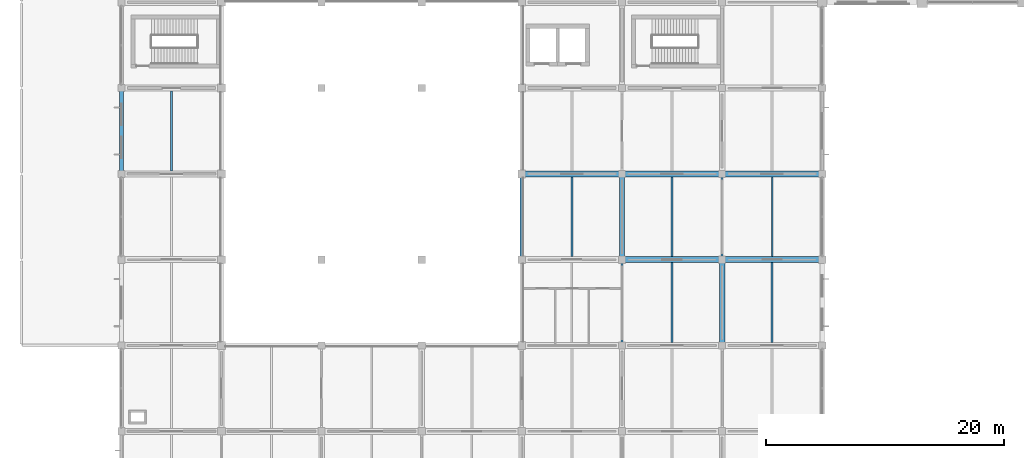
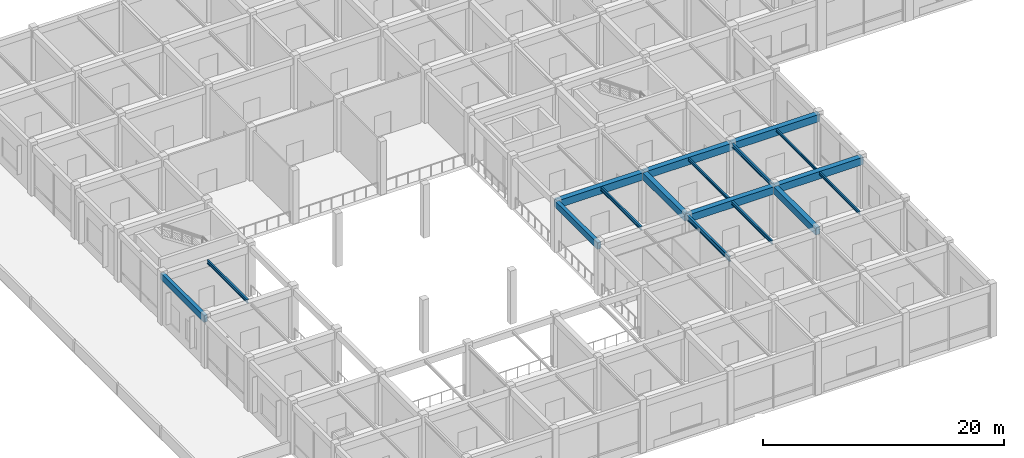
# One storey, part 4 of 38: 17 beams.
"""IFC4 building model written with IfcOpenShell, lengths in metres."""

from ifc_helpers import new_model, si_unit, derived_unit, direction, frame, origin, origin_2d, place, context, subcontext, project, spatial, rectangle, i_section, extrude, material, material_profile, profile_set, type_object, element, save


model = new_model("IFC4")

# Units and contexts
model_context = context("Model", 3, precision=1e-05, world=origin(), true_north=direction((0.0, 1.0)))
body_context = subcontext(model_context, "Body", "Model", "MODEL_VIEW")
ifc_project = project(units=[si_unit("LENGTHUNIT", "METRE"), si_unit("AREAUNIT", "SQUARE_METRE"), si_unit("VOLUMEUNIT", "CUBIC_METRE"), si_unit("PLANEANGLEUNIT", "RADIAN"), si_unit("MASSUNIT", "GRAM", prefix="KILO"), derived_unit("THERMALTRANSMITTANCEUNIT", [(si_unit("MASSUNIT", "GRAM", prefix="KILO"), 1), (si_unit("TIMEUNIT", "SECOND"), -3), (si_unit("THERMODYNAMICTEMPERATUREUNIT", "KELVIN"), -1)])], contexts=[model_context])

# Site, building, storey
site_placement = place(None, origin())
site = spatial("IfcSite", under=ifc_project, at=site_placement, CompositionType="ELEMENT")
building_placement = place(site_placement, origin())
building = spatial("IfcBuilding", under=site, at=building_placement, Name="Veldstrom Oceanarium and Marine Research Institute", CompositionType="ELEMENT")
storey_placement = place(building_placement, frame((0.0, 0.0, 11.39990234375)))
storey = spatial("IfcBuildingStorey", under=building, at=storey_placement, Name="L02", CompositionType="ELEMENT", Elevation=11.39990234375)

# Beams
ifc_material_1 = material(Name="Concrete C40/50", Category="concrete")
ifc_material_profile_1 = material_profile(ifc_material_1, rectangle(XDim=0.5, YDim=0.75, at=origin_2d()), Name="RC-BM-500x750")
ifc_profile_set_1 = profile_set([ifc_material_profile_1], Name="Concrete C40/50")
beam_type_1 = type_object("IfcBeamType", Name="STR-BM-B03", PredefinedType="BEAM", material=ifc_profile_set_1)
beam_1_placement = place(storey_placement, frame((42.0, 28.800048828125, 4.72021484375), z_axis=(1.0, 0.0, 0.0), x_axis=(0.0, 1.0, 0.0)))
element("IfcBeam", 1, at=beam_1_placement, inside=storey, type_object=beam_type_1, Name="Primary Beam B03 L02-1523", PredefinedType="BEAM", context=body_context, shape_type="SweptSolid", body=[
    extrude(rectangle(XDim=0.5, YDim=0.75, at=origin_2d()), origin(), (0.0, 0.0, 1.0), 8.39990234375),
])
for number, where, z_axis, x_axis, name in (
    (2, (50.39990234375, 21.60009765625, 4.72021484375), (1.0, 0.0, 0.0), (0.0, 1.0, 0.0), "Primary Beam B03 L02-1533"),
    (3, (50.39990234375, 28.800048828125, 4.72021484375), (1.0, 0.0, 0.0), (0.0, 1.0, 0.0), "Primary Beam B03 L02-1534"),
):
    element("IfcBeam", number, at=place(storey_placement, frame(where, z_axis=z_axis, x_axis=x_axis)), inside=storey, type_object=beam_type_1, Name=name, PredefinedType="BEAM", context=body_context, shape_type="SweptSolid", body=[
        extrude(rectangle(XDim=0.5, YDim=0.75, at=origin_2d()), origin(), (0.0, 0.0, 1.0), 8.400146484375),
    ])
for number, where, z_axis, x_axis, name in (
    (4, (58.800048828125, 21.60009765625, 4.72021484375), (1.0, 0.0, 0.0), (0.0, 1.0, 0.0), "Primary Beam B03 L02-1544"),
    (5, (58.800048828125, 28.800048828125, 4.72021484375), (1.0, 0.0, 0.0), (0.0, 1.0, 0.0), "Primary Beam B03 L02-1545"),
):
    element("IfcBeam", number, at=place(storey_placement, frame(where, z_axis=z_axis, x_axis=x_axis)), inside=storey, type_object=beam_type_1, Name=name, PredefinedType="BEAM", context=body_context, shape_type="SweptSolid", body=[
        extrude(rectangle(XDim=0.5, YDim=0.75, at=origin_2d()), origin(), (0.0, 0.0, 1.0), 8.39990234375),
    ])
ifc_material_2 = material(Name="Concrete C40/50", Category="concrete")
ifc_material_profile_2 = material_profile(ifc_material_2, rectangle(XDim=0.449951171875, YDim=0.699951171875, at=origin_2d()), Name="RC-BM-450x700")
ifc_profile_set_2 = profile_set([ifc_material_profile_2], Name="Concrete C40/50")
beam_type_2 = type_object("IfcBeamType", Name="STR-BM-B04", PredefinedType="BEAM", material=ifc_profile_set_2)
beam_2_placement = place(storey_placement, frame((50.39990234375, 21.60009765625, 4.7451171875), z_axis=(0.0, 1.0, 0.0), x_axis=(-1.0, 0.0, 0.0)))
element("IfcBeam", 6, at=beam_2_placement, inside=storey, type_object=beam_type_2, Name="Primary Beam B04 L02-1658", PredefinedType="BEAM", context=body_context, shape_type="SweptSolid", body=[
    extrude(rectangle(XDim=0.449951171875, YDim=0.699951171875, at=origin_2d()), origin(), (0.0, 0.0, 1.0), 7.199951171875),
])
beam_3_placement = place(storey_placement, frame((58.800048828125, 14.39990234375, 4.7451171875), z_axis=(0.0, 1.0, 0.0), x_axis=(-1.0, 0.0, 0.0)))
element("IfcBeam", 7, at=beam_3_placement, inside=storey, type_object=beam_type_2, Name="Primary Beam B04 L02-1667", PredefinedType="BEAM", context=body_context, shape_type="SweptSolid", body=[
    extrude(rectangle(XDim=0.449951171875, YDim=0.699951171875, at=origin_2d()), origin(), (0.0, 0.0, 1.0), 7.2001953125),
])
ifc_material_3 = material(Name="Steel S355JR", Category="steel")
ifc_material_profile_3 = material_profile(ifc_material_3, i_section(OverallWidth=0.199951171875, OverallDepth=0.5, WebThickness=0.01025390625, FlangeThickness=0.01611328125, FilletRadius=0.02099609375, at=origin_2d()), Name="IPE 500")
ifc_profile_set_3 = profile_set([ifc_material_profile_3], Name="Steel S355JR")
beam_type_3 = type_object("IfcBeamType", Name="STR-BM-SB6", PredefinedType="BEAM", material=ifc_profile_set_3)
beam_4_placement = place(storey_placement, frame((50.39990234375, 14.39990234375, 4.84521484375), z_axis=(0.0, 1.0, 0.0), x_axis=(-1.0, 0.0, 0.0)))
element("IfcBeam", 8, at=beam_4_placement, inside=storey, type_object=beam_type_3, Name="Steel Tie Beam SB6 L02-1657", PredefinedType="BEAM", context=body_context, shape_type="SweptSolid", body=[
    extrude(i_section(OverallWidth=0.199951171875, OverallDepth=0.5, WebThickness=0.01025390625, FlangeThickness=0.01611328125, FilletRadius=0.02099609375, at=origin_2d()), origin(), (0.0, 0.0, 1.0), 7.2001953125),
])
ifc_material_4 = material(Name="Steel S355JR", Category="steel")
ifc_material_profile_4 = material_profile(ifc_material_4, i_section(OverallWidth=0.179931640625, OverallDepth=0.39990234375, WebThickness=0.008544921875, FlangeThickness=0.013427734375, FilletRadius=0.02099609375, at=origin_2d()), Name="IPE 400")
ifc_profile_set_4 = profile_set([ifc_material_profile_4], Name="Steel S355JR")
beam_type_4 = type_object("IfcBeamType", Name="STR-BM-SB8", PredefinedType="BEAM", material=ifc_profile_set_4)
beam_5_placement = place(storey_placement, frame((58.800048828125, 21.60009765625, 4.89501953125), z_axis=(0.0, 1.0, 0.0), x_axis=(-1.0, 0.0, 0.0)))
element("IfcBeam", 9, at=beam_5_placement, inside=storey, type_object=beam_type_4, Name="Steel Tie Beam SB8 L02-1668", PredefinedType="BEAM", context=body_context, shape_type="SweptSolid", body=[
    extrude(i_section(OverallWidth=0.179931640625, OverallDepth=0.39990234375, WebThickness=0.008544921875, FlangeThickness=0.013427734375, FilletRadius=0.02099609375, at=origin_2d()), origin(), (0.0, 0.0, 1.0), 7.199951171875),
])
ifc_material_5 = material(Name="Steel S355JR", Category="steel")
ifc_material_profile_5 = material_profile(ifc_material_5, i_section(OverallWidth=0.169921875, OverallDepth=0.360107421875, WebThickness=0.008056640625, FlangeThickness=0.0126953125, FilletRadius=0.01806640625, at=origin_2d()), Name="IPE 360")
ifc_profile_set_5 = profile_set([ifc_material_profile_5], Name="Steel S355JR")
beam_type_5 = type_object("IfcBeamType", Name="STR-JST-SJ1", PredefinedType="JOIST", material=ifc_profile_set_5)
for number, where, z_axis, x_axis, name in (
    (10, (12.60009765625, 29.050048828125, 4.9150390625), (0.0, 1.0, 0.0), (-1.0, 0.0, 0.0), "Secondary Joist SJ1 L02-1745"),
    (11, (46.199951171875, 21.85009765625, 4.9150390625), (0.0, 1.0, 0.0), (-1.0, 0.0, 0.0), "Secondary Joist SJ1 L02-1765"),
):
    element("IfcBeam", number, at=place(storey_placement, frame(where, z_axis=z_axis, x_axis=x_axis)), inside=storey, type_object=beam_type_5, Name=name, PredefinedType="JOIST", context=body_context, shape_type="SweptSolid", body=[
        extrude(i_section(OverallWidth=0.169921875, OverallDepth=0.360107421875, WebThickness=0.008056640625, FlangeThickness=0.0126953125, FilletRadius=0.01806640625, at=origin_2d()), origin(), (0.0, 0.0, 1.0), 6.699951171875),
    ])
beam_6_placement = place(storey_placement, frame((54.60009765625, 14.64990234375, 4.9150390625), z_axis=(0.0, 1.0, 0.0), x_axis=(-1.0, 0.0, 0.0)))
element("IfcBeam", 12, at=beam_6_placement, inside=storey, type_object=beam_type_5, Name="Secondary Joist SJ1 L02-1773", PredefinedType="JOIST", context=body_context, shape_type="SweptSolid", body=[
    extrude(i_section(OverallWidth=0.169921875, OverallDepth=0.360107421875, WebThickness=0.008056640625, FlangeThickness=0.0126953125, FilletRadius=0.01806640625, at=origin_2d()), origin(), (0.0, 0.0, 1.0), 6.7001953125),
])
ifc_material_6 = material(Name="Steel S355JR", Category="steel")
ifc_material_profile_6 = material_profile(ifc_material_6, i_section(OverallWidth=0.14990234375, OverallDepth=0.300048828125, WebThickness=0.007080078125, FlangeThickness=0.0107421875, FilletRadius=0.014892578125, at=origin_2d()), Name="IPE 300")
ifc_profile_set_6 = profile_set([ifc_material_profile_6], Name="Steel S355JR")
beam_type_6 = type_object("IfcBeamType", Name="STR-JST-SJ2", PredefinedType="JOIST", material=ifc_profile_set_6)
beam_7_placement = place(storey_placement, frame((54.60009765625, 21.85009765625, 4.945068359375), z_axis=(0.0, 1.0, 0.0), x_axis=(-1.0, 0.0, 0.0)))
element("IfcBeam", 13, at=beam_7_placement, inside=storey, type_object=beam_type_6, Name="Secondary Joist SJ2 L02-1774", PredefinedType="JOIST", context=body_context, shape_type="SweptSolid", body=[
    extrude(i_section(OverallWidth=0.14990234375, OverallDepth=0.300048828125, WebThickness=0.007080078125, FlangeThickness=0.0107421875, FilletRadius=0.014892578125, at=origin_2d()), origin(), (0.0, 0.0, 1.0), 6.699951171875),
])
beam_8_placement = place(storey_placement, frame((63.0, 14.64990234375, 4.945068359375), z_axis=(0.0, 1.0, 0.0), x_axis=(-1.0, 0.0, 0.0)))
element("IfcBeam", 14, at=beam_8_placement, inside=storey, type_object=beam_type_6, Name="Secondary Joist SJ2 L02-1782", PredefinedType="JOIST", context=body_context, shape_type="SweptSolid", body=[
    extrude(i_section(OverallWidth=0.14990234375, OverallDepth=0.300048828125, WebThickness=0.007080078125, FlangeThickness=0.0107421875, FilletRadius=0.014892578125, at=origin_2d()), origin(), (0.0, 0.0, 1.0), 6.7001953125),
])
ifc_material_7 = material(Name="Steel S355JR", Category="steel")
ifc_material_profile_7 = material_profile(ifc_material_7, i_section(OverallWidth=0.135009765625, OverallDepth=0.27001953125, WebThickness=0.006591796875, FlangeThickness=0.01025390625, FilletRadius=0.014892578125, at=origin_2d()), Name="IPE 270")
ifc_profile_set_7 = profile_set([ifc_material_profile_7], Name="Steel S355JR")
beam_type_7 = type_object("IfcBeamType", Name="STR-JST-SJ3", PredefinedType="JOIST", material=ifc_profile_set_7)
beam_9_placement = place(storey_placement, frame((63.0, 21.85009765625, 4.960205078125), z_axis=(0.0, 1.0, 0.0), x_axis=(-1.0, 0.0, 0.0)))
element("IfcBeam", 15, at=beam_9_placement, inside=storey, type_object=beam_type_7, Name="Secondary Joist SJ3 L02-1783", PredefinedType="JOIST", context=body_context, shape_type="SweptSolid", body=[
    extrude(i_section(OverallWidth=0.135009765625, OverallDepth=0.27001953125, WebThickness=0.006591796875, FlangeThickness=0.01025390625, FilletRadius=0.014892578125, at=origin_2d()), origin(), (0.0, 0.0, 1.0), 6.699951171875),
])
ifc_material_8 = material(Name="Concrete C40/50", Category="concrete")
ifc_material_profile_8 = material_profile(ifc_material_8, rectangle(XDim=0.35009765625, YDim=0.64990234375, at=origin_2d()), Name="RC-SPN-350x650")
ifc_profile_set_8 = profile_set([ifc_material_profile_8], Name="Concrete C40/50")
beam_type_8 = type_object("IfcBeamType", Name="STR-SPN-SP1", PredefinedType="SPANDREL", material=ifc_profile_set_8)
for number, where, z_axis, x_axis, name in (
    (16, (8.39990234375, 28.800048828125, 4.77001953125), (0.0, 1.0, 0.0), (-1.0, 0.0, 0.0), "Perimeter Spandrel SPB1 L02-1621"),
    (17, (42.0, 21.60009765625, 4.77001953125), (0.0, 1.0, 0.0), (-1.0, 0.0, 0.0), "Perimeter Spandrel SPB1 L02-1648"),
):
    element("IfcBeam", number, at=place(storey_placement, frame(where, z_axis=z_axis, x_axis=x_axis)), inside=storey, type_object=beam_type_8, Name=name, PredefinedType="SPANDREL", context=body_context, shape_type="SweptSolid", body=[
        extrude(rectangle(XDim=0.35009765625, YDim=0.64990234375, at=origin_2d()), origin(), (0.0, 0.0, 1.0), 7.199951171875),
    ])

save(model, "model.ifc")
